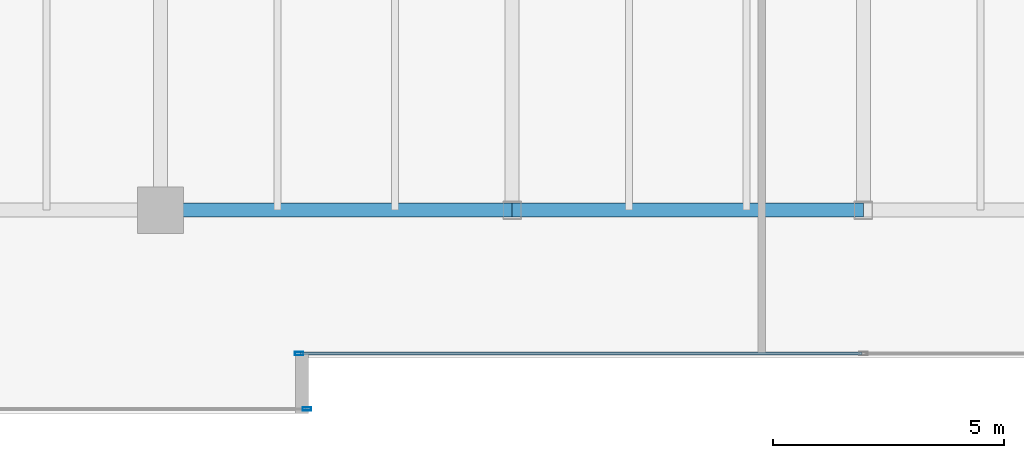
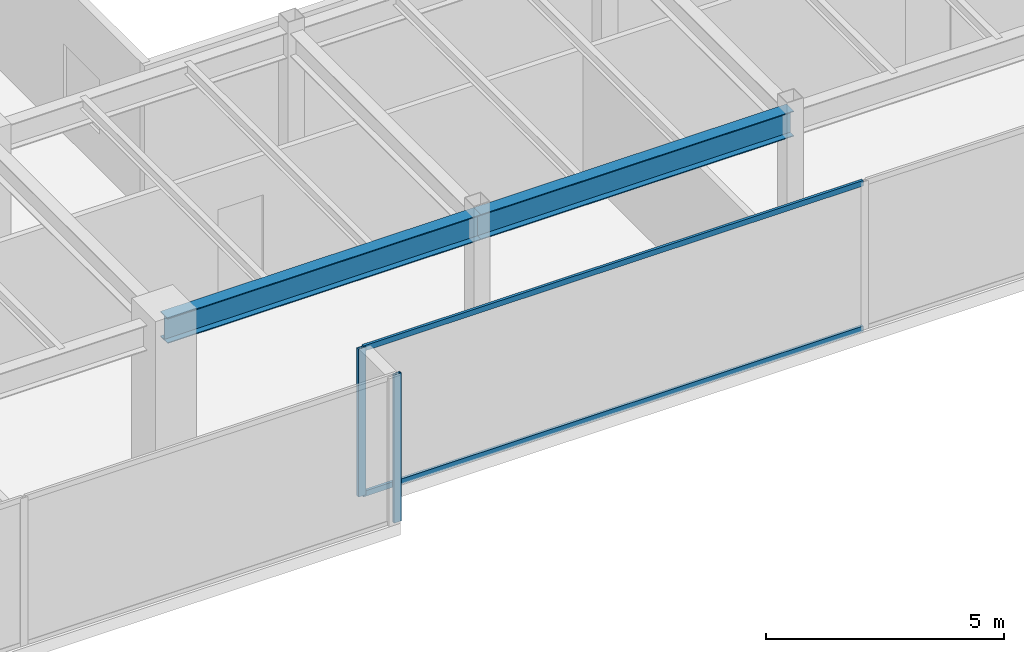
# One storey, part 7 of 33: 4 members, 2 beams, 2 elements without a shape of their own.
"""IFC4 building model written with IfcOpenShell, lengths in metres."""

from ifc_helpers import new_model, si_unit, direction, frame, origin, origin_2d, place, context, subcontext, project, spatial, hollow_rectangle, i_section, extrude, source, transform, mapped, material, layer, layer_set, material_profile, profile_set, type_object, type_shapes, element, aggregate, save


model = new_model("IFC4")

# Units and contexts
model_context = context("Model", 3, precision=1e-05, world=origin(), true_north=direction((0.0, 1.0)))
body_context = subcontext(model_context, "Body", "Model", "MODEL_VIEW")
ifc_project = project(units=[si_unit("LENGTHUNIT", "METRE"), si_unit("AREAUNIT", "SQUARE_METRE"), si_unit("VOLUMEUNIT", "CUBIC_METRE"), si_unit("PLANEANGLEUNIT", "RADIAN"), si_unit("MASSUNIT", "GRAM", prefix="KILO")], contexts=[model_context])

# Site, building, storey
site_placement = place(None, origin())
site = spatial("IfcSite", under=ifc_project, at=site_placement, CompositionType="ELEMENT")
building_placement = place(site_placement, origin())
building = spatial("IfcBuilding", under=site, at=building_placement, Name="Haelvirn Gate Laboratories", CompositionType="ELEMENT")
storey_placement = place(building_placement, frame((0.0, 0.0, 217.800048828125)))
storey = spatial("IfcBuildingStorey", under=building, at=storey_placement, Name="L52", CompositionType="ELEMENT", Elevation=217.800048828125)

# Beams
ifc_material_1 = material(Name="Steel SM355", Category="steel")
ifc_material_profile_1 = material_profile(ifc_material_1, i_section(OverallWidth=0.300048828125, OverallDepth=0.64990234375, WebThickness=0.012939453125, FlangeThickness=0.02197265625, at=origin_2d()), Name="H-650x300x13x22")
ifc_profile_set_1 = profile_set([ifc_material_profile_1], Name="Steel SM355")
beam_type = type_object("IfcBeamType", Name="BM-G-650", PredefinedType="BEAM", material=ifc_profile_set_1)
shared_shape_1 = source(origin(), body_context, "Body", "SweptSolid", [
    extrude(i_section(OverallWidth=0.300048828125, OverallDepth=0.64990234375, WebThickness=0.012939453125, FlangeThickness=0.02197265625, at=origin_2d()), origin(), (0.0, 0.0, 1.0), 7.60009765625),
])
beam_1_placement = place(storey_placement, frame((22.199951171875, 7.0, 3.474853515625), z_axis=(1.0, 0.0, 0.0), x_axis=(0.0, 1.0, 0.0)))
element("IfcBeam", 1, at=beam_1_placement, inside=storey, type_object=beam_type, Name="L52 Primary Girder Y7.0 (22.2-29.8)", PredefinedType="BEAM", context=body_context, shape_type="MappedRepresentation", body=[
    mapped(shared_shape_1, transform((0.0, 0.0, 0.0), scale=1.0)),
])
shared_shape_2 = source(origin(), body_context, "Body", "SweptSolid", [
    extrude(i_section(OverallWidth=0.300048828125, OverallDepth=0.64990234375, WebThickness=0.012939453125, FlangeThickness=0.02197265625, at=origin_2d()), origin(), (0.0, 0.0, 1.0), 7.599853515625),
])
type_shapes(beam_type, [shared_shape_1, shared_shape_2])
beam_2_placement = place(storey_placement, frame((29.800048828125, 7.0, 3.474853515625), z_axis=(1.0, 0.0, 0.0), x_axis=(0.0, 1.0, 0.0)))
element("IfcBeam", 2, at=beam_2_placement, inside=storey, type_object=beam_type, Name="L52 Primary Girder Y7.0 (29.8-37.4)", PredefinedType="BEAM", context=body_context, shape_type="MappedRepresentation", body=[
    mapped(shared_shape_2, transform((0.0, 0.0, 0.0), scale=1.0)),
])

# Curtain wall, members
ifc_material_2 = material(Name="Anodised bronze unitised aluminium & triple low-E glass", Category="aluminium")
ifc_layer = layer(ifc_material_2, 0.176025390625, Name="CW-SYS-4")
ifc_layer_set = layer_set([ifc_layer], Name="Anodised bronze unitised aluminium & triple low-E glass")
curtain_wall_type = type_object("IfcCurtainWallType", Name="CW-SYS-4", PredefinedType="NOTDEFINED", material=ifc_layer_set)
curtain_wall_1_placement = place(storey_placement, origin())
curtain_wall_1 = element("IfcCurtainWall", 3, at=curtain_wall_1_placement, inside=storey, type_object=curtain_wall_type, Name="L52 Unitised Curtain Wall CW-L52-P0-E02-1", PredefinedType="NOTDEFINED")
ifc_material_3 = material(Name="Extruded aluminium 6063-T6 (anodised bronze)", Category="aluminium")
ifc_material_profile_2 = material_profile(ifc_material_3, hollow_rectangle(XDim=0.06494140625, YDim=0.139892578125, WallThickness=0.00390625, at=origin_2d()), Name="CWT-140x65x4")
ifc_profile_set_2 = profile_set([ifc_material_profile_2], Name="Extruded aluminium 6063-T6 (anodised bronze)")
member_type_1 = type_object("IfcMemberType", Name="CWT-T140", PredefinedType="USERDEFINED", material=ifc_profile_set_2)
shared_shape_3 = source(origin(), body_context, "Body", "SweptSolid", [
    extrude(hollow_rectangle(XDim=0.06494140625, YDim=0.139892578125, WallThickness=0.00390625, at=origin_2d()), origin(), (0.0, 0.0, 1.0), 12.135009765625),
])
type_shapes(member_type_1, [shared_shape_3])
member_1_placement = place(storey_placement, frame((25.22998046875, 3.89990234375, 0.032470703125), z_axis=(1.0, 0.0, 0.0), x_axis=(0.0, 1.0, 0.0)))
member_1 = element("IfcMember", 4, at=member_1_placement, type_object=member_type_1, Name="CW4 transom 1.1", ObjectType="TRANSOM", PredefinedType="USERDEFINED", context=body_context, shape_type="MappedRepresentation", body=[
    mapped(shared_shape_3, transform((0.0, 0.0, 0.0), scale=1.0)),
])
member_2_placement = place(storey_placement, frame((25.22998046875, 3.89990234375, 3.767333984375), z_axis=(1.0, 0.0, 0.0), x_axis=(0.0, 1.0, 0.0)))
member_2 = element("IfcMember", 5, at=member_2_placement, type_object=member_type_1, Name="CW4 transom 1.2", ObjectType="TRANSOM", PredefinedType="USERDEFINED", context=body_context, shape_type="MappedRepresentation", body=[
    mapped(shared_shape_3, transform((0.0, 0.0, 0.0), scale=1.0)),
])

# Curtain wall, member
curtain_wall_2_placement = place(storey_placement, origin())
curtain_wall_2 = element("IfcCurtainWall", 6, at=curtain_wall_2_placement, inside=storey, type_object=curtain_wall_type, Name="L52 Unitised Curtain Wall CW-L52-P0-E00-1", PredefinedType="NOTDEFINED")
ifc_material_profile_3 = material_profile(ifc_material_3, hollow_rectangle(XDim=0.070068359375, YDim=0.179931640625, WallThickness=0.0048828125, at=origin_2d()), Name="CWM-180x70x5")
ifc_profile_set_3 = profile_set([ifc_material_profile_3], Name="Extruded aluminium 6063-T6 (anodised bronze)")
member_type_2 = type_object("IfcMemberType", Name="CWM-T180", PredefinedType="MULLION", material=ifc_profile_set_3)
shared_shape_4 = source(origin(), body_context, "Body", "SweptSolid", [
    extrude(hollow_rectangle(XDim=0.070068359375, YDim=0.179931640625, WallThickness=0.0048828125, at=origin_2d()), origin(), (0.0, 0.0, 1.0), 3.800048828125),
])
type_shapes(member_type_2, [shared_shape_4])
member_3_placement = place(storey_placement, frame((25.364990234375, 2.699951171875, 0.0), z_axis=(0.0, 0.0, 1.0), x_axis=(0.0, 1.0, 0.0)))
member_3 = element("IfcMember", 7, at=member_3_placement, type_object=member_type_2, Name="CW4 mullion 3", PredefinedType="MULLION", context=body_context, shape_type="MappedRepresentation", body=[
    mapped(shared_shape_4, transform((0.0, 0.0, 0.0), scale=1.0)),
])
aggregate(curtain_wall_2, [member_3])

# Member
member_4_placement = place(storey_placement, frame((25.195068359375, 3.89990234375, 0.0), z_axis=(0.0, 0.0, 1.0), x_axis=(0.0, 1.0, 0.0)))
member_4 = element("IfcMember", 8, at=member_4_placement, type_object=member_type_2, Name="CW4 mullion 1", PredefinedType="MULLION", context=body_context, shape_type="MappedRepresentation", body=[
    mapped(shared_shape_4, transform((0.0, 0.0, 0.0), scale=1.0)),
])

aggregate(curtain_wall_1, [member_4, member_1, member_2])

save(model, "model.ifc")
